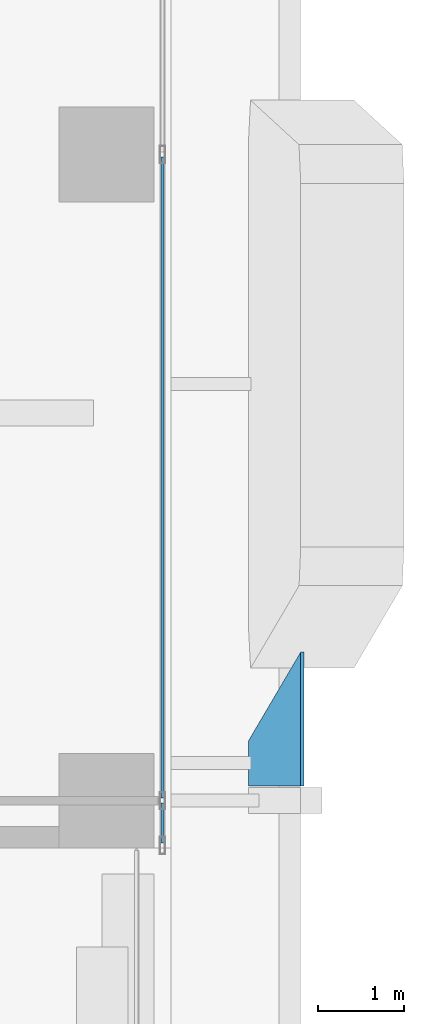
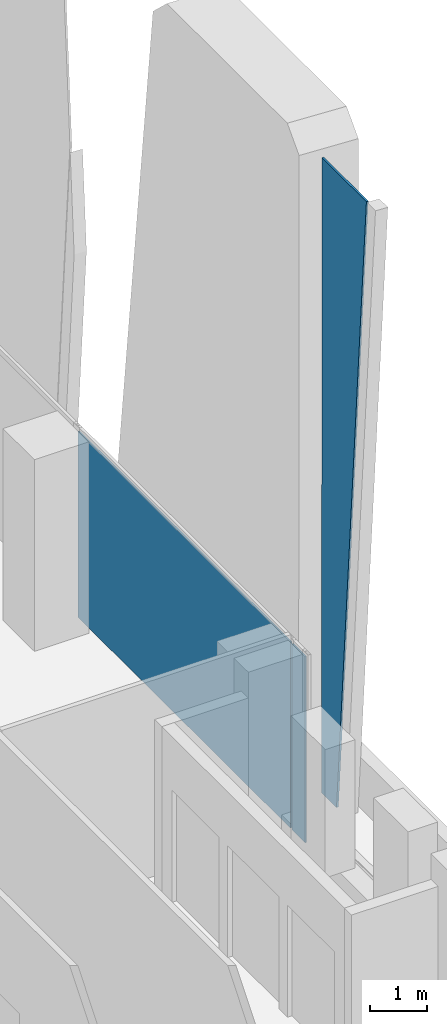
# One storey, part 25 of 37: 3 plates, 1 element without a shape of its own.
"""IFC4 building model written with IfcOpenShell, lengths in metres."""

from ifc_helpers import new_model, si_unit, direction, frame, origin, origin_2d, place, context, subcontext, project, spatial, polyline, rectangle, outline, extrude, source, transform, mapped, material, layer, layer_set, type_object, element, aggregate, save


model = new_model("IFC4")

# Units and contexts
model_context = context("Model", 3, precision=1e-05, world=origin(), true_north=direction((0.0, 1.0)))
body_context = subcontext(model_context, "Body", "Model", "MODEL_VIEW")
ifc_project = project(units=[si_unit("LENGTHUNIT", "METRE"), si_unit("AREAUNIT", "SQUARE_METRE"), si_unit("VOLUMEUNIT", "CUBIC_METRE"), si_unit("PLANEANGLEUNIT", "RADIAN"), si_unit("MASSUNIT", "GRAM", prefix="KILO")], contexts=[model_context])

# Site, building, storey
site_placement = place(None, origin())
site = spatial("IfcSite", under=ifc_project, at=site_placement, CompositionType="ELEMENT")
building_placement = place(site_placement, origin())
building = spatial("IfcBuilding", under=site, at=building_placement, Name="Khomas Fold Tower", CompositionType="ELEMENT")
storey_placement = place(building_placement, frame((0.0, 0.0, 101.5)))
storey = spatial("IfcBuildingStorey", under=building, at=storey_placement, Name="L21", CompositionType="ELEMENT", Elevation=101.5)

# Plate
ifc_material_1 = material(Name="Clear laminated glass", Category="glass")
ifc_layer_1 = layer(ifc_material_1, 0.0400390625)
ifc_layer_set_1 = layer_set([ifc_layer_1], Name="Clear laminated glass")
plate_type_1 = type_object("IfcPlateType", Name="SK-Clear laminated glass leaf", PredefinedType="SHEET", material=ifc_layer_set_1)
plate_1_placement = place(storey_placement, frame((54.005126953125, 28.7255859375, 12.75), z_axis=(-0.998875266546, 0.0, 0.047415207295), x_axis=(-0.04726157793, -0.080434286924, -0.995638824443)))
element("IfcPlate", 1, at=plate_1_placement, inside=storey, type_object=plate_type_1, Name="OUTER SKIN glass L21 EG103-7", PredefinedType="SHEET", context=body_context, shape_type="SweptSolid", body=[
    extrude(outline(polyline([(0.0, 0.0), (12.805848553696626, 0.0), (12.848127611252204, 0.5239316636030511), (0.125128729560684, 1.55062357662733), (0.0, 0.0)])), origin(), (0.0, 0.0, -1.0), 0.0400390625),
])

# Curtain wall, plates
ifc_material_2 = material(Name="Aluminium framed double glazing", Category="aluminium")
curtain_wall_type = type_object("IfcCurtainWallType", Name="SK-Unitised clear-glass wall, growing floors CW1", PredefinedType="NOTDEFINED", material=ifc_material_2)
curtain_wall_placement = place(storey_placement, origin())
curtain_wall = element("IfcCurtainWall", 2, at=curtain_wall_placement, inside=storey, type_object=curtain_wall_type, Name="CW1 run L21 03-1", PredefinedType="NOTDEFINED")
ifc_material_3 = material(Name="Clear double glazed unit")
ifc_layer_2 = layer(ifc_material_3, 0.031982421875)
ifc_layer_set_2 = layer_set([ifc_layer_2], Name="Clear double glazed unit")
plate_type_2 = type_object("IfcPlateType", Name="SK-Unitised clear-glass wall, growing floors glass panel CW1-P", PredefinedType="CURTAIN_PANEL", material=ifc_layer_set_2)
shared_shape_1 = source(origin(), body_context, "Body", "SweptSolid", [
    extrude(rectangle(XDim=7.43994140625, YDim=0.031982421875, at=origin_2d()), origin(), (0.0, 0.0, 1.0), 3.97998046875),
])
plate_2_placement = place(storey_placement, frame((52.39990234375, 30.75, 0.0), z_axis=(0.0, 0.0, 1.0), x_axis=(0.0, 1.0, 0.0)))
plate_2 = element("IfcPlate", 3, at=plate_2_placement, type_object=plate_type_2, Name="CW1 glass panel 2", PredefinedType="CURTAIN_PANEL", context=body_context, shape_type="MappedRepresentation", body=[
    mapped(shared_shape_1, transform((0.0, 0.0, 0.0))),
])
shared_shape_2 = source(origin(), body_context, "Body", "SweptSolid", [
    extrude(rectangle(XDim=0.4599609375, YDim=0.031982421875, at=origin_2d()), origin(), (0.0, 0.0, 1.0), 3.97998046875),
])
plate_3_placement = place(storey_placement, frame((52.39990234375, 26.739990234375, 0.0), z_axis=(0.0, 0.0, 1.0), x_axis=(0.0, 1.0, 0.0)))
plate_3 = element("IfcPlate", 4, at=plate_3_placement, type_object=plate_type_2, Name="CW1 glass panel 1", PredefinedType="CURTAIN_PANEL", context=body_context, shape_type="MappedRepresentation", body=[
    mapped(shared_shape_2, transform((0.0, 0.0, 0.0))),
])
aggregate(curtain_wall, [plate_3, plate_2])

save(model, "model.ifc")
